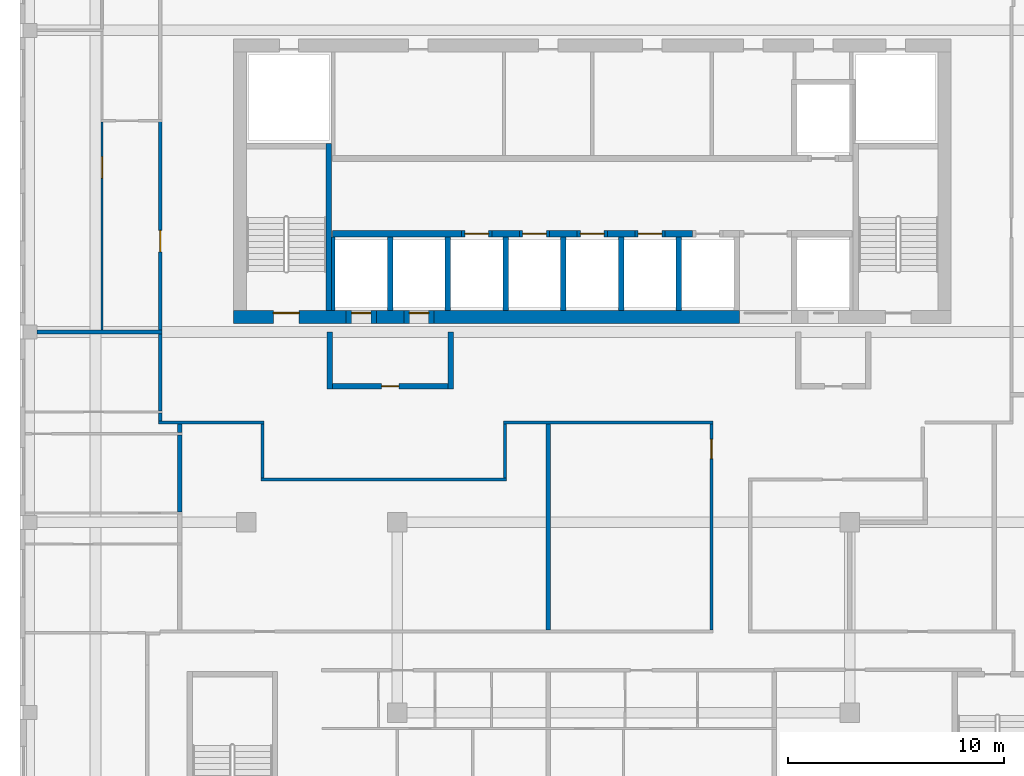
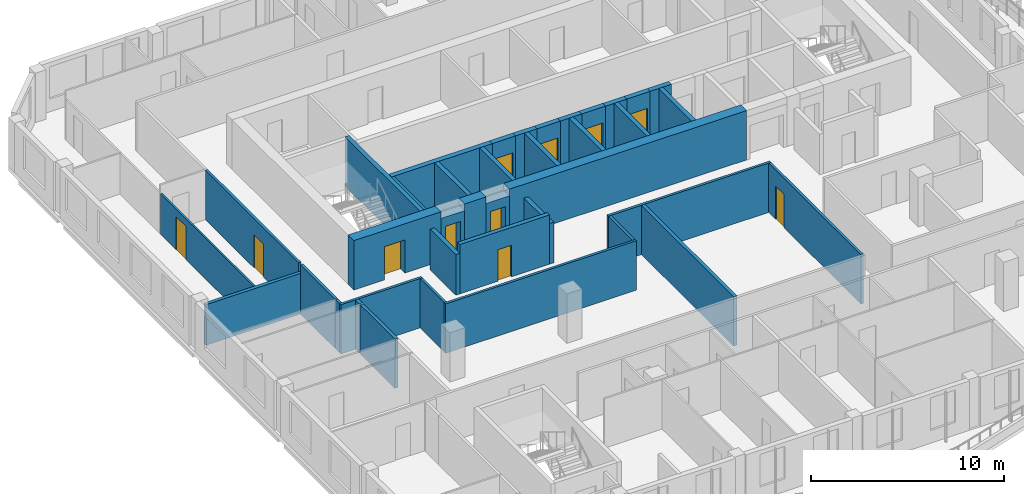
# One storey, part 4 of 18: 39 walls, 11 doors, 11 openings.
"""IFC4 building model written with IfcOpenShell, lengths in metres."""

import ifcopenshell
import ifcopenshell.guid

model = None  # the IFC model being written
_history = None  # IfcOwnerHistory: only IFC2X3 demands one
_inside = {}  # id of a spatial element -> (the spatial element, [elements in it])
_under = {}  # id of a project, library or spatial element -> (it, [spatial elements below it])
_declared = {}  # id of a project -> (the project, [libraries it declares])
_typed = {}  # id of a type object -> (the type object, [elements of that type])
_made_of = {}  # id of a material, layer set ... -> (it, [elements and type objects made of it])


def new_model(schema):
    """Start an empty IFC model of exactly this schema.

    Asked for "IFC4X3", IfcOpenShell would pick the latest addendum, in which some entities
    have other attributes; the version numbers below select the first issue.
    IFC2X3 requires an IfcOwnerHistory on every rooted entity: one is made here for all.
    """
    global model, _history
    if schema == "IFC4X3":
        model = ifcopenshell.file(schema_version=(4, 3, 0, 0))
    else:
        model = ifcopenshell.file(schema=schema)
    _inside.clear()
    _under.clear()
    _declared.clear()
    _typed.clear()
    _made_of.clear()
    _history = None
    if model.schema == "IFC2X3":
        org = make("IfcOrganization", Name="unknown")
        user = make(
            "IfcPersonAndOrganization",
            ThePerson=make("IfcPerson", FamilyName="unknown"),
            TheOrganization=org,
        )
        app = make(
            "IfcApplication",
            ApplicationDeveloper=org,
            Version="unknown",
            ApplicationFullName="unknown",
            ApplicationIdentifier="unknown",
        )
        _history = make(
            "IfcOwnerHistory",
            OwningUser=user,
            OwningApplication=app,
            ChangeAction="ADDED",
            CreationDate=0,
        )
    return model


def make(cls, **values):
    """One entity of the class cls with the attributes given. An attribute that is None is left unset."""
    return model.create_entity(
        cls, **{name: value for name, value in values.items() if value is not None}
    )


def rooted(cls, **values):
    """An entity with a GlobalId (a new one), such as an element, a storey or a relation."""
    return make(cls, GlobalId=ifcopenshell.guid.new(), OwnerHistory=_history, **values)


def si_unit(unit_type, name, prefix=None):
    """IfcSIUnit, for example si_unit("LENGTHUNIT", "METRE", prefix="MILLI")."""
    return make("IfcSIUnit", UnitType=unit_type, Prefix=prefix, Name=name)


def assignment(units):
    """IfcUnitAssignment: the units of a project."""
    return None if units is None else make("IfcUnitAssignment", Units=units)


def point(xyz):
    """IfcCartesianPoint."""
    return None if xyz is None else make("IfcCartesianPoint", Coordinates=xyz)


def direction(xyz):
    """IfcDirection."""
    return None if xyz is None else make("IfcDirection", DirectionRatios=xyz)


def frame(location, z_axis=None, x_axis=None):
    """IfcAxis2Placement3D, a coordinate frame: its origin and axes. An axis left out is left unset."""
    return make(
        "IfcAxis2Placement3D",
        Location=point(location),
        Axis=direction(z_axis),
        RefDirection=direction(x_axis),
    )


def frame_2d(location, x_axis=None):
    """IfcAxis2Placement2D, a coordinate frame in the plane: its origin and x axis."""
    return make(
        "IfcAxis2Placement2D", Location=point(location), RefDirection=direction(x_axis)
    )


def origin():
    """The frame at (0, 0, 0) with its axes left unset."""
    return frame((0.0, 0.0, 0.0))


def place(relative_to, where):
    """IfcLocalPlacement: puts the frame where relative to a parent placement (None: the world)."""
    return make(
        "IfcLocalPlacement", PlacementRelTo=relative_to, RelativePlacement=where
    )


def context(
    kind, dimensions, precision=None, world=None, true_north=None, identifier=None
):
    """IfcGeometricRepresentationContext, for example the 3D "Model" context."""
    return make(
        "IfcGeometricRepresentationContext",
        ContextIdentifier=identifier,
        ContextType=kind,
        CoordinateSpaceDimension=dimensions,
        Precision=precision,
        WorldCoordinateSystem=world,
        TrueNorth=true_north,
    )


def subcontext(parent, identifier, kind, view, scale=None):
    """IfcGeometricRepresentationSubContext, for example "Body" below "Model"."""
    return make(
        "IfcGeometricRepresentationSubContext",
        ContextIdentifier=identifier,
        ContextType=kind,
        ParentContext=parent,
        TargetScale=scale,
        TargetView=view,
    )


def project(units=None, contexts=None):
    """IfcProject with its units and contexts."""
    return rooted(
        "IfcProject",
        Name="project",
        RepresentationContexts=contexts,
        UnitsInContext=assignment(units),
    )


def spatial(cls, under=None, at=None, **own):
    """A site, building, storey or space (cls), placed at a placement, below another one or the project."""
    s = rooted(cls, ObjectPlacement=at, **own)
    if under is not None:
        _under.setdefault(under.id(), (under, []))[1].append(s)
    return s


def profile(cls, at=None, kind="AREA", **sizes):
    """A parametric profile (cls). Its sizes go by their IFC names, for example OverallWidth=200.0."""
    return make(cls, ProfileType=kind, Position=at, **sizes)


def rectangle(**sizes):
    """IfcRectangleProfileDef."""
    return profile("IfcRectangleProfileDef", **sizes)


def extrude(swept, where, along, depth):
    """IfcExtrudedAreaSolid: the profile swept, set in the frame where, extruded along a direction by depth."""
    return make(
        "IfcExtrudedAreaSolid",
        SweptArea=swept,
        Position=where,
        ExtrudedDirection=direction(along),
        Depth=depth,
    )


def shape(context_of_items, identifier, shape_type, items):
    """IfcShapeRepresentation: the items that make up one representation, for example the "Body"."""
    return make(
        "IfcShapeRepresentation",
        ContextOfItems=context_of_items,
        RepresentationIdentifier=identifier,
        RepresentationType=shape_type,
        Items=items,
    )


def source(mapping_origin, context_of_items, identifier, shape_type, items):
    """IfcRepresentationMap: a shape defined once, which mapped items show again and again."""
    return make(
        "IfcRepresentationMap",
        MappingOrigin=mapping_origin,
        MappedRepresentation=shape(context_of_items, identifier, shape_type, items),
    )


def transform(
    local_origin,
    x_axis=None,
    y_axis=None,
    z_axis=None,
    scale=None,
    scale2=None,
    scale3=None,
    uniform=True,
):
    """IfcCartesianTransformationOperator3D, or its non-uniform kind. x_axis, y_axis, z_axis: its Axis1, 2, 3."""
    if uniform:
        return make(
            "IfcCartesianTransformationOperator3D",
            Axis1=direction(x_axis),
            Axis2=direction(y_axis),
            LocalOrigin=point(local_origin),
            Scale=scale,
            Axis3=direction(z_axis),
        )
    return make(
        "IfcCartesianTransformationOperator3DnonUniform",
        Axis1=direction(x_axis),
        Axis2=direction(y_axis),
        LocalOrigin=point(local_origin),
        Scale=scale,
        Axis3=direction(z_axis),
        Scale2=scale2,
        Scale3=scale3,
    )


def mapped(mapping_source, mapping_target):
    """IfcMappedItem: shows the shape of a source again, moved by a transform."""
    return make(
        "IfcMappedItem", MappingSource=mapping_source, MappingTarget=mapping_target
    )


def material(Name=None, Category=None):
    """IfcMaterial."""
    return make("IfcMaterial", Name=Name, Category=Category)


def layer(
    of_material, thickness, ventilated=None, Name=None, Category=None, Priority=None
):
    """IfcMaterialLayer: one layer of a wall or slab, of a material (None: an air gap)."""
    return make(
        "IfcMaterialLayer",
        Material=of_material,
        LayerThickness=thickness,
        IsVentilated=ventilated,
        Name=Name,
        Category=Category,
        Priority=Priority,
    )


def layer_set(layers, Name=None):
    """IfcMaterialLayerSet."""
    return make("IfcMaterialLayerSet", MaterialLayers=layers, LayerSetName=Name)


def made_of(thing, what):
    """Note that an element or type object is made of a material, layer set ...; save() writes the relation."""
    if what is not None:
        _made_of.setdefault(what.id(), (what, []))[1].append(thing)
    return thing


def type_object(cls, material=None, **own):
    """A type object (cls), such as IfcWallType, which elements share."""
    return made_of(rooted(cls, **own), material)


def element(
    cls,
    number,
    at=None,
    inside=None,
    cuts=None,
    type_object=None,
    material=None,
    context=None,
    identifier="Body",
    shape_type=None,
    held_by="IfcProductDefinitionShape",
    body=None,
    shapes=None,
    **own,
):
    """One element of the class cls, such as IfcWall. Its Tag is "e" and its number.

    at: its placement. inside: the storey or other place that contains it. cuts: it is an
    opening in that element (IfcRelVoidsElement). A single representation is given by context,
    identifier, shape_type and body (its items); several are given by shapes. held_by: the class
    of the entity that holds the representations. save() writes the other relations.
    """
    e = rooted(cls, Tag="e%d" % number, ObjectPlacement=at, **own)
    if body is not None:
        shapes = [shape(context, identifier, shape_type, body)]
    if shapes is not None:
        e.Representation = make(held_by, Representations=shapes)
    if inside is not None:
        _inside.setdefault(inside.id(), (inside, []))[1].append(e)
    if cuts is not None:
        rooted(
            "IfcRelVoidsElement", RelatingBuildingElement=cuts, RelatedOpeningElement=e
        )
    if type_object is not None:
        _typed.setdefault(type_object.id(), (type_object, []))[1].append(e)
    return made_of(e, material)


def fill(opening, filler):
    """IfcRelFillsElement: the door or window that sits in an opening."""
    return rooted(
        "IfcRelFillsElement",
        RelatingOpeningElement=opening,
        RelatedBuildingElement=filler,
    )


def aggregate(whole, parts):
    """IfcRelAggregates: a whole, such as a stair, and the parts it consists of."""
    return rooted("IfcRelAggregates", RelatingObject=whole, RelatedObjects=parts)


def save(model, path):
    """Write the relations noted so far, then the file.

    IfcRelAggregates (storeys below a building ...), IfcRelContainedInSpatialStructure (elements
    in a storey), IfcRelDefinesByType, IfcRelAssociatesMaterial and IfcRelDeclares: one each for
    every whole, place, type object, material and project.
    """
    for whole, parts in _under.values():
        aggregate(whole, parts)
    for where, things in _inside.values():
        rooted(
            "IfcRelContainedInSpatialStructure",
            RelatedElements=things,
            RelatingStructure=where,
        )
    for kind, things in _typed.values():
        rooted("IfcRelDefinesByType", RelatedObjects=things, RelatingType=kind)
    for what, things in _made_of.values():
        rooted("IfcRelAssociatesMaterial", RelatedObjects=things, RelatingMaterial=what)
    for by, libraries in _declared.values():
        rooted("IfcRelDeclares", RelatingContext=by, RelatedDefinitions=libraries)
    model.write(path)


model = new_model("IFC4")

# Units and contexts
model_context = context("Model", 3, precision=1e-05, world=origin(), true_north=direction((0.0, 1.0)))
body_context = subcontext(model_context, "Body", "Model", "MODEL_VIEW")
ifc_project = project(units=[si_unit("LENGTHUNIT", "METRE"), si_unit("AREAUNIT", "SQUARE_METRE"), si_unit("VOLUMEUNIT", "CUBIC_METRE"), si_unit("PLANEANGLEUNIT", "RADIAN"), si_unit("MASSUNIT", "GRAM", prefix="KILO")], contexts=[model_context])

# Site, building, storey
site_placement = place(None, origin())
site = spatial("IfcSite", under=ifc_project, at=site_placement, CompositionType="ELEMENT")
building_placement = place(site_placement, origin())
building = spatial("IfcBuilding", under=site, at=building_placement, Name="Kilnfold Tower and Market Hall", CompositionType="ELEMENT")
storey_placement = place(building_placement, frame((0.0, 0.0, 280.60009765625)))
storey = spatial("IfcBuildingStorey", under=building, at=storey_placement, Name="L69", CompositionType="ELEMENT", Elevation=280.60009765625)

# Walls
ifc_material_1 = material(Name="Gypsum board on steel studs", Category="steel")
ifc_layer_1 = layer(ifc_material_1, 0.14990234375)
ifc_layer_set_1 = layer_set([ifc_layer_1], Name="Gypsum board on steel studs")
wall_type_1 = type_object("IfcWallType", Name="WALL CORRIDOR 150", PredefinedType="PARTITIONING", material=ifc_layer_set_1)
wall_1_placement = place(storey_placement, frame((-19.074951171875, 3.800048828125, 0.0), z_axis=(0.0, 0.0, 1.0), x_axis=(1.0, 0.0, 0.0)))
element("IfcWall", 1, at=wall_1_placement, inside=storey, type_object=wall_type_1, Name="Partition LY42.11", PredefinedType="PARTITIONING", context=body_context, shape_type="SweptSolid", body=[
    extrude(rectangle(XDim=4.889892578125, YDim=0.14990234375, at=frame_2d((2.44482421875, 0.0))), origin(), (0.0, 0.0, 1.0), 3.119873046875),
])
wall_2_placement = place(storey_placement, frame((-19.0, 3.875, 0.0), z_axis=(0.0, 0.0, 1.0), x_axis=(0.0, 1.0, 0.0)))
element("IfcWall", 2, at=wall_2_placement, inside=storey, type_object=wall_type_1, Name="Partition LY42.12", PredefinedType="PARTITIONING", context=body_context, shape_type="SweptSolid", body=[
    extrude(rectangle(XDim=0.376953125, YDim=0.14990234375, at=frame_2d((0.1884765625, 0.0))), origin(), (0.0, 0.0, 1.0), 3.119873046875),
])
wall_3_placement = place(storey_placement, frame((-19.0, 4.33203125, 0.0), z_axis=(0.0, 0.0, 1.0), x_axis=(0.0, 1.0, 0.0)))
element("IfcWall", 3, at=wall_3_placement, inside=storey, type_object=wall_type_1, Name="Partition LY42.13", PredefinedType="PARTITIONING", context=body_context, shape_type="SweptSolid", body=[
    extrude(rectangle(XDim=3.577880859375, YDim=0.14990234375, at=frame_2d((1.7890625, 0.0))), origin(), (0.0, 0.0, 1.0), 3.119873046875),
])

# Wall, opening, door
wall_4_placement = place(storey_placement, frame((-19.0, 8.090087890625, 0.0), z_axis=(0.0, 0.0, 1.0), x_axis=(0.0, 1.0, 0.0)))
wall_4 = element("IfcWall", 4, at=wall_4_placement, inside=storey, type_object=wall_type_1, Name="Partition LY42.20", PredefinedType="PARTITIONING", context=body_context, shape_type="SweptSolid", body=[
    extrude(rectangle(XDim=9.669921875, YDim=0.14990234375, at=frame_2d((4.8349609375, 0.0))), origin(), (0.0, 0.0, 1.0), 3.119873046875),
])
opening_1_placement = place(wall_4_placement, frame((3.62890625, 0.0, 0.0)))
opening_1 = element("IfcOpeningElement", 5, at=opening_1_placement, cuts=wall_4, Name="Opening D1", PredefinedType="OPENING", context=body_context, shape_type="SweptSolid", body=[
    extrude(rectangle(XDim=1.0, YDim=2.10009765625, at=frame_2d((0.5, 1.050048828125))), frame((0.0, 0.0849609375, 0.0), z_axis=(0.0, -1.0, 0.0), x_axis=(1.0, 0.0, 0.0)), (0.0, 0.0, 1.0), 0.169921875),
])
ifc_material_2 = material(Name="Timber veneer door leaf in steel frame", Category="steel")
door_type_1 = type_object("IfcDoorType", Name="DOOR ENTRY 1000 X2100", OperationType="NOTDEFINED", PredefinedType="DOOR", material=ifc_material_2)
door_1_placement = place(opening_1_placement, origin())
door_1 = element("IfcDoor", 6, at=door_1_placement, inside=storey, type_object=door_type_1, Name="Door D1", OperationType="SINGLE_SWING_LEFT", OverallHeight=2.10009765625, OverallWidth=1.0, PredefinedType="DOOR", context=body_context, shape_type="SweptSolid", body=[
    extrude(rectangle(XDim=1.0, YDim=2.10009765625, at=frame_2d((0.5, 1.050048828125))), frame((0.0, 0.02490234375, 0.0), z_axis=(0.0, -1.0, 0.0), x_axis=(1.0, 0.0, 0.0)), (0.0, 0.0, 1.0), 0.050048828125),
])
fill(opening_1, door_1)

# Walls
wall_5_placement = place(storey_placement, frame((-3.074951171875, 3.800048828125, 0.0), z_axis=(0.0, 0.0, 1.0), x_axis=(1.0, 0.0, 0.0)))
element("IfcWall", 7, at=wall_5_placement, inside=storey, type_object=wall_type_1, Name="Partition LY42.23", PredefinedType="PARTITIONING", context=body_context, shape_type="SweptSolid", body=[
    extrude(rectangle(XDim=9.72998046875, YDim=0.14990234375, at=frame_2d((4.864990234375, 0.0))), origin(), (0.0, 0.0, 1.0), 3.119873046875),
])
wall_6_placement = place(storey_placement, frame((-3.0, 1.22509765625, 0.0), z_axis=(0.0, 0.0, 1.0), x_axis=(0.0, 1.0, 0.0)))
element("IfcWall", 8, at=wall_6_placement, inside=storey, type_object=wall_type_1, Name="Partition LY42.24", PredefinedType="PARTITIONING", context=body_context, shape_type="SweptSolid", body=[
    extrude(rectangle(XDim=2.5, YDim=0.14990234375, at=frame_2d((1.25, 0.0))), origin(), (0.0, 0.0, 1.0), 3.119873046875),
])
wall_7_placement = place(storey_placement, frame((-14.3349609375, 1.14990234375, 0.0), z_axis=(0.0, 0.0, 1.0), x_axis=(1.0, 0.0, 0.0)))
element("IfcWall", 9, at=wall_7_placement, inside=storey, type_object=wall_type_1, Name="Partition LY42.25", PredefinedType="PARTITIONING", context=body_context, shape_type="SweptSolid", body=[
    extrude(rectangle(XDim=11.409912109375, YDim=0.14990234375, at=frame_2d((5.705078125, 0.0))), origin(), (0.0, 0.0, 1.0), 3.119873046875),
])
wall_8_placement = place(storey_placement, frame((-14.260009765625, 3.72509765625, 0.0), z_axis=(0.0, 0.0, 1.0), x_axis=(0.0, -1.0, 0.0)))
element("IfcWall", 10, at=wall_8_placement, inside=storey, type_object=wall_type_1, Name="Partition LY42.26", PredefinedType="PARTITIONING", context=body_context, shape_type="SweptSolid", body=[
    extrude(rectangle(XDim=2.5, YDim=0.14990234375, at=frame_2d((1.25, 0.0))), origin(), (0.0, 0.0, 1.0), 3.119873046875),
])

# Wall, opening, door
wall_9_placement = place(storey_placement, frame((6.580078125, 3.72509765625, 0.0), z_axis=(0.0, 0.0, 1.0), x_axis=(0.0, -1.0, 0.0)))
wall_9 = element("IfcWall", 11, at=wall_9_placement, inside=storey, type_object=wall_type_1, Name="Partition LY42.27", PredefinedType="PARTITIONING", context=body_context, shape_type="SweptSolid", body=[
    extrude(rectangle(XDim=9.550048828125, YDim=0.14990234375, at=frame_2d((4.77490234375, 0.0))), origin(), (0.0, 0.0, 1.0), 3.119873046875),
])
opening_2_placement = place(wall_9_placement, frame((0.702880859375, 0.0, 0.0)))
opening_2 = element("IfcOpeningElement", 12, at=opening_2_placement, cuts=wall_9, Name="Opening D2", PredefinedType="OPENING", context=body_context, shape_type="SweptSolid", body=[
    extrude(rectangle(XDim=0.89990234375, YDim=2.10009765625, at=frame_2d((0.449951171875, 1.050048828125))), frame((0.0, 0.0849609375, 0.0), z_axis=(0.0, -1.0, 0.0), x_axis=(1.0, 0.0, 0.0)), (0.0, 0.0, 1.0), 0.169921875),
])
ifc_material_3 = material(Name="Timber veneer door leaf in steel frame", Category="steel")
door_type_2 = type_object("IfcDoorType", Name="DOOR ROOM 900 X2100", OperationType="NOTDEFINED", PredefinedType="DOOR", material=ifc_material_3)
door_2_placement = place(opening_2_placement, origin())
door_2 = element("IfcDoor", 13, at=door_2_placement, inside=storey, type_object=door_type_2, Name="Door D2", OperationType="SINGLE_SWING_RIGHT", OverallHeight=2.10009765625, OverallWidth=0.89990234375, PredefinedType="DOOR", context=body_context, shape_type="SweptSolid", body=[
    extrude(rectangle(XDim=0.89990234375, YDim=2.10009765625, at=frame_2d((0.449951171875, 1.050048828125))), frame((0.0, 0.02490234375, 0.0), z_axis=(0.0, -1.0, 0.0), x_axis=(1.0, 0.0, 0.0)), (0.0, 0.0, 1.0), 0.050048828125),
])
fill(opening_2, door_2)

ifc_material_4 = material(Name="Gypsum board on steel studs", Category="steel")
ifc_layer_2 = layer(ifc_material_4, 0.10009765625)
ifc_layer_set_2 = layer_set([ifc_layer_2], Name="Gypsum board on steel studs")
wall_type_2 = type_object("IfcWallType", Name="WALL PARTITION 100", PredefinedType="PARTITIONING", material=ifc_layer_set_2)
wall_10_placement = place(storey_placement, frame((-21.699951171875, 8.10009765625, 0.0), z_axis=(0.0, 0.0, 1.0), x_axis=(0.0, 1.0, 0.0)))
wall_10 = element("IfcWall", 14, at=wall_10_placement, inside=storey, type_object=wall_type_2, Name="Partition LY42.72", PredefinedType="PARTITIONING", context=body_context, shape_type="SweptSolid", body=[
    extrude(rectangle(XDim=9.64990234375, YDim=0.10009765625, at=frame_2d((4.824951171875, 0.0))), origin(), (0.0, 0.0, 1.0), 2.56982421875),
])
opening_3_placement = place(wall_10_placement, frame((7.041015625, 0.0, 0.0)))
opening_3 = element("IfcOpeningElement", 15, at=opening_3_placement, cuts=wall_10, Name="Opening D1", PredefinedType="OPENING", context=body_context, shape_type="SweptSolid", body=[
    extrude(rectangle(XDim=1.0, YDim=2.10009765625, at=frame_2d((0.5, 1.050048828125))), frame((0.0, 0.06005859375, 0.0), z_axis=(0.0, -1.0, 0.0), x_axis=(1.0, 0.0, 0.0)), (0.0, 0.0, 1.0), 0.1201171875),
])
door_3_placement = place(opening_3_placement, origin())
door_3 = element("IfcDoor", 16, at=door_3_placement, inside=storey, type_object=door_type_1, Name="Door D1", OperationType="SINGLE_SWING_LEFT", OverallHeight=2.10009765625, OverallWidth=1.0, PredefinedType="DOOR", context=body_context, shape_type="SweptSolid", body=[
    extrude(rectangle(XDim=1.0, YDim=2.10009765625, at=frame_2d((0.5, 1.050048828125))), frame((0.0, 0.02490234375, 0.0), z_axis=(0.0, -1.0, 0.0), x_axis=(1.0, 0.0, 0.0)), (0.0, 0.0, 1.0), 0.050048828125),
])
fill(opening_3, door_3)

# Walls
ifc_material_5 = material(Name="Gypsum board on steel studs", Category="steel")
ifc_layer_3 = layer(ifc_material_5, 0.199951171875)
ifc_layer_set_3 = layer_set([ifc_layer_3], Name="Gypsum board on steel studs")
wall_type_3 = type_object("IfcWallType", Name="WALL PARTY 200", PredefinedType="PARTITIONING", material=ifc_layer_set_3)
wall_11_placement = place(storey_placement, frame((-18.10009765625, -0.35009765625, 0.0), z_axis=(0.0, 0.0, 1.0), x_axis=(0.0, 1.0, 0.0)))
element("IfcWall", 17, at=wall_11_placement, inside=storey, type_object=wall_type_3, Name="Partition LY42.42", PredefinedType="PARTITIONING", context=body_context, shape_type="SweptSolid", body=[
    extrude(rectangle(XDim=3.5751953125, YDim=0.199951171875, at=frame_2d((1.78759765625, 0.0))), origin(), (0.0, 0.0, 1.0), 3.119873046875),
])
wall_12_placement = place(storey_placement, frame((-18.10009765625, 3.324951171875, 0.0), z_axis=(0.0, 0.0, 1.0), x_axis=(0.0, 1.0, 0.0)))
element("IfcWall", 18, at=wall_12_placement, inside=storey, type_object=wall_type_3, Name="Partition LY42.44", PredefinedType="PARTITIONING", context=body_context, shape_type="SweptSolid", body=[
    extrude(rectangle(XDim=0.39794921875, YDim=0.199951171875, at=frame_2d((0.198974609375, 0.0))), origin(), (0.0, 0.0, 1.0), 3.119873046875),
])
wall_13_placement = place(storey_placement, frame((-24.72509765625, 8.0, 0.0), z_axis=(0.0, 0.0, 1.0), x_axis=(1.0, 0.0, 0.0)))
element("IfcWall", 19, at=wall_13_placement, inside=storey, type_object=wall_type_3, Name="Partition LY42.45", PredefinedType="PARTITIONING", context=body_context, shape_type="SweptSolid", body=[
    extrude(rectangle(XDim=5.798095703125, YDim=0.199951171875, at=frame_2d((2.89892578125, 0.0))), origin(), (0.0, 0.0, 1.0), 2.56982421875),
])
wall_14_placement = place(storey_placement, frame((-1.0, -5.822998046875, 0.0), z_axis=(0.0, 0.0, 1.0), x_axis=(0.0, 1.0, 0.0)))
element("IfcWall", 20, at=wall_14_placement, inside=storey, type_object=wall_type_3, Name="Partition LY42.79", PredefinedType="PARTITIONING", context=body_context, shape_type="SweptSolid", body=[
    extrude(rectangle(XDim=9.5458984375, YDim=0.199951171875, at=frame_2d((4.77294921875, 0.0))), origin(), (0.0, 0.0, 1.0), 3.119873046875),
])
ifc_material_6 = material(Name="Concrete C50", Category="concrete")
ifc_layer_4 = layer(ifc_material_6, 0.25)
ifc_layer_set_4 = layer_set([ifc_layer_4], Name="Concrete C50")
wall_type_4 = type_object("IfcWallType", Name="CORE WALL 250 C50", PredefinedType="SHEAR", material=ifc_layer_set_4)
shared_shape_1 = source(origin(), body_context, "Body", "SweptSolid", [
    extrude(rectangle(XDim=7.75, YDim=0.25, at=frame_2d((3.875, 0.0))), origin(), (0.0, 0.0, 1.0), 3.119873046875),
])
wall_15_placement = place(storey_placement, frame((-11.175048828125, 9.0, 0.0), z_axis=(0.0, 0.0, 1.0), x_axis=(0.0, 1.0, 0.0)))
element("IfcWall", 21, at=wall_15_placement, inside=storey, type_object=wall_type_4, Name="Stair enclosure ST1", PredefinedType="SHEAR", context=body_context, shape_type="MappedRepresentation", body=[
    mapped(shared_shape_1, transform((0.0, 0.0, 0.0))),
])
ifc_material_7 = material(Name="Concrete C50", Category="concrete")
ifc_layer_5 = layer(ifc_material_7, 0.300048828125)
ifc_layer_set_5 = layer_set([ifc_layer_5], Name="Concrete C50")
wall_type_5 = type_object("IfcWallType", Name="CORE WALL 300 C50", PredefinedType="SHEAR", material=ifc_layer_set_5)
shared_shape_2 = source(origin(), body_context, "Body", "SweptSolid", [
    extrude(rectangle(XDim=6.0, YDim=0.300048828125, at=frame_2d((3.0, 0.0))), origin(), (0.0, 0.0, 1.0), 3.119873046875),
])
wall_16_placement = place(storey_placement, frame((-11.010009765625, 12.550048828125, 0.0), z_axis=(0.0, 0.0, 1.0), x_axis=(1.0, 0.0, 0.0)))
element("IfcWall", 22, at=wall_16_placement, inside=storey, type_object=wall_type_5, Name="Core spine wall", PredefinedType="SHEAR", context=body_context, shape_type="MappedRepresentation", body=[
    mapped(shared_shape_2, transform((0.0, 0.0, 0.0))),
])
shared_shape_3 = source(origin(), body_context, "Body", "SweptSolid", [
    extrude(rectangle(XDim=1.280029296875, YDim=0.300048828125, at=frame_2d((0.64013671875, 0.0))), origin(), (0.0, 0.0, 1.0), 3.119873046875),
])
for number, where, z_axis, x_axis, name in (
    (23, (-3.610107421875, 12.550048828125, 0.0), (0.0, 0.0, 1.0), (1.0, 0.0, 0.0), "Core spine wall"),
    (24, (-0.929931640625, 12.550048828125, 0.0), (0.0, 0.0, 1.0), (1.0, 0.0, 0.0), "Core spine wall"),
    (25, (1.75, 12.550048828125, 0.0), (0.0, 0.0, 1.0), (1.0, 0.0, 0.0), "Core spine wall"),
    (26, (4.429931640625, 12.550048828125, 0.0), (0.0, 0.0, 1.0), (1.0, 0.0, 0.0), "Core spine wall"),
):
    element("IfcWall", number, at=place(storey_placement, frame(where, z_axis=z_axis, x_axis=x_axis)), inside=storey, type_object=wall_type_5, Name=name, PredefinedType="SHEAR", context=body_context, shape_type="MappedRepresentation", body=[
        mapped(shared_shape_3, transform((0.0, 0.0, 0.0))),
    ])

# Wall, opening, door
ifc_material_8 = material(Name="Concrete C50", Category="concrete")
ifc_layer_6 = layer(ifc_material_8, 0.60009765625)
ifc_layer_set_6 = layer_set([ifc_layer_6], Name="Concrete C50")
wall_type_6 = type_object("IfcWallType", Name="CORE WALL 600 C50", PredefinedType="SHEAR", material=ifc_layer_set_6)
shared_shape_4 = source(origin(), body_context, "Body", "SweptSolid", [
    extrude(rectangle(XDim=5.22998046875, YDim=0.60009765625, at=frame_2d((2.614990234375, 0.0))), origin(), (0.0, 0.0, 1.0), 3.119873046875),
])
wall_17_placement = place(storey_placement, frame((-15.60009765625, 8.699951171875, 0.0), z_axis=(0.0, 0.0, 1.0), x_axis=(1.0, 0.0, 0.0)))
wall_17 = element("IfcWall", 27, at=wall_17_placement, inside=storey, type_object=wall_type_6, Name="Core outer wall south", PredefinedType="SHEAR", context=body_context, shape_type="MappedRepresentation", body=[
    mapped(shared_shape_4, transform((0.0, 0.0, 0.0))),
])
opening_4_placement = place(wall_17_placement, frame((1.85009765625, 0.0, 0.0)))
opening_4 = element("IfcOpeningElement", 28, at=opening_4_placement, cuts=wall_17, Name="Opening SD1", PredefinedType="OPENING", context=body_context, shape_type="SweptSolid", body=[
    extrude(rectangle(XDim=1.199951171875, YDim=2.10009765625, at=frame_2d((0.60009765625, 1.050048828125))), frame((0.0, 0.31005859375, 0.0), z_axis=(0.0, -1.0, 0.0), x_axis=(1.0, 0.0, 0.0)), (0.0, 0.0, 1.0), 0.6201171875),
])
ifc_material_9 = material(Name="Steel door set with fire-resisting leaf", Category="steel")
door_type_3 = type_object("IfcDoorType", Name="STAIR FLOOR DOOR 1200X2100", OperationType="NOTDEFINED", PredefinedType="DOOR", material=ifc_material_9)
door_4_placement = place(opening_4_placement, origin())
door_4 = element("IfcDoor", 29, at=door_4_placement, inside=storey, type_object=door_type_3, Name="Exit stair ST1 door", OperationType="DOUBLE_DOOR_SINGLE_SWING", OverallHeight=2.10009765625, OverallWidth=1.199951171875, PredefinedType="DOOR", context=body_context, shape_type="SweptSolid", body=[
    extrude(rectangle(XDim=1.199951171875, YDim=2.10009765625, at=frame_2d((0.60009765625, 1.050048828125))), frame((0.0, 0.205078125, 0.0), z_axis=(0.0, -1.0, 0.0), x_axis=(1.0, 0.0, 0.0)), (0.0, 0.0, 1.0), 0.050048828125),
])
fill(opening_4, door_4)

# Walls
shared_shape_5 = source(origin(), body_context, "Body", "SweptSolid", [
    extrude(rectangle(XDim=1.280029296875, YDim=0.60009765625, at=frame_2d((0.64013671875, 0.0))), origin(), (0.0, 0.0, 1.0), 3.119873046875),
])
wall_18_placement = place(storey_placement, frame((-8.969970703125, 8.699951171875, 0.0), z_axis=(0.0, 0.0, 1.0), x_axis=(1.0, 0.0, 0.0)))
element("IfcWall", 30, at=wall_18_placement, inside=storey, type_object=wall_type_6, Name="Core outer wall south", PredefinedType="SHEAR", context=body_context, shape_type="MappedRepresentation", body=[
    mapped(shared_shape_5, transform((0.0, 0.0, 0.0))),
])
shared_shape_6 = source(origin(), body_context, "Body", "SweptSolid", [
    extrude(rectangle(XDim=14.179931640625, YDim=0.60009765625, at=frame_2d((7.08984375, 0.0))), origin(), (0.0, 0.0, 1.0), 3.119873046875),
])
wall_19_placement = place(storey_placement, frame((-6.2900390625, 8.699951171875, 0.0), z_axis=(0.0, 0.0, 1.0), x_axis=(1.0, 0.0, 0.0)))
element("IfcWall", 31, at=wall_19_placement, inside=storey, type_object=wall_type_6, Name="Core outer wall south", PredefinedType="SHEAR", context=body_context, shape_type="MappedRepresentation", body=[
    mapped(shared_shape_6, transform((0.0, 0.0, 0.0))),
])

# Wall, opening, door
ifc_material_10 = material(Name="Gypsum shaft wall system")
ifc_layer_7 = layer(ifc_material_10, 0.300048828125)
ifc_layer_set_7 = layer_set([ifc_layer_7], Name="Gypsum shaft wall system")
wall_type_7 = type_object("IfcWallType", Name="SHAFT WALL 300", PredefinedType="PARTITIONING", material=ifc_layer_set_7)
shared_shape_7 = source(origin(), body_context, "Body", "SweptSolid", [
    extrude(rectangle(XDim=1.39990234375, YDim=0.300048828125, at=frame_2d((0.699951171875, 0.0))), origin(), (0.0, 0.0, 1.0), 3.119873046875),
])
wall_20_placement = place(storey_placement, frame((-5.010009765625, 12.550048828125, 0.0), z_axis=(0.0, 0.0, 1.0), x_axis=(1.0, 0.0, 0.0)))
wall_20 = element("IfcWall", 32, at=wall_20_placement, inside=storey, type_object=wall_type_7, Name="Lift shaft front wall", PredefinedType="PARTITIONING", context=body_context, shape_type="MappedRepresentation", body=[
    mapped(shared_shape_7, transform((0.0, 0.0, 0.0))),
])
opening_5_placement = place(wall_20_placement, frame((0.14990234375, 0.0, 0.0)))
opening_5 = element("IfcOpeningElement", 33, at=opening_5_placement, cuts=wall_20, Name="Opening LD2", PredefinedType="OPENING", context=body_context, shape_type="SweptSolid", body=[
    extrude(rectangle(XDim=1.10009765625, YDim=2.10009765625, at=frame_2d((0.550048828125, 1.050048828125))), frame((0.0, 0.16015625, 0.0), z_axis=(0.0, -1.0, 0.0), x_axis=(1.0, 0.0, 0.0)), (0.0, 0.0, 1.0), 0.320068359375),
])
ifc_material_11 = material(Name="Steel door set with fire-resisting leaf", Category="steel")
door_type_4 = type_object("IfcDoorType", Name="LANDING DOOR 1100X2100", OperationType="NOTDEFINED", PredefinedType="DOOR", material=ifc_material_11)
door_5_placement = place(opening_5_placement, origin())
door_5 = element("IfcDoor", 34, at=door_5_placement, inside=storey, type_object=door_type_4, Name="Landing door HR1", OperationType="DOUBLE_DOOR_SLIDING", OverallHeight=2.10009765625, OverallWidth=1.10009765625, PredefinedType="DOOR", context=body_context, shape_type="SweptSolid", body=[
    extrude(rectangle(XDim=1.10009765625, YDim=2.10009765625, at=frame_2d((0.550048828125, 1.050048828125))), frame((0.0, 0.02490234375, 0.0), z_axis=(0.0, -1.0, 0.0), x_axis=(1.0, 0.0, 0.0)), (0.0, 0.0, 1.0), 0.050048828125),
])
fill(opening_5, door_5)

wall_21_placement = place(storey_placement, frame((0.35009765625, 12.550048828125, 0.0), z_axis=(0.0, 0.0, 1.0), x_axis=(1.0, 0.0, 0.0)))
wall_21 = element("IfcWall", 35, at=wall_21_placement, inside=storey, type_object=wall_type_7, Name="Lift shaft front wall", PredefinedType="PARTITIONING", context=body_context, shape_type="MappedRepresentation", body=[
    mapped(shared_shape_7, transform((0.0, 0.0, 0.0))),
])
opening_6_placement = place(wall_21_placement, frame((0.14990234375, 0.0, 0.0)))
opening_6 = element("IfcOpeningElement", 36, at=opening_6_placement, cuts=wall_21, Name="Opening LD2", PredefinedType="OPENING", context=body_context, shape_type="SweptSolid", body=[
    extrude(rectangle(XDim=1.10009765625, YDim=2.10009765625, at=frame_2d((0.550048828125, 1.050048828125))), frame((0.0, 0.16015625, 0.0), z_axis=(0.0, -1.0, 0.0), x_axis=(1.0, 0.0, 0.0)), (0.0, 0.0, 1.0), 0.320068359375),
])
door_6_placement = place(opening_6_placement, origin())
door_6 = element("IfcDoor", 37, at=door_6_placement, inside=storey, type_object=door_type_4, Name="Landing door HR3", OperationType="DOUBLE_DOOR_SLIDING", OverallHeight=2.10009765625, OverallWidth=1.10009765625, PredefinedType="DOOR", context=body_context, shape_type="SweptSolid", body=[
    extrude(rectangle(XDim=1.10009765625, YDim=2.10009765625, at=frame_2d((0.550048828125, 1.050048828125))), frame((0.0, 0.02490234375, 0.0), z_axis=(0.0, -1.0, 0.0), x_axis=(1.0, 0.0, 0.0)), (0.0, 0.0, 1.0), 0.050048828125),
])
fill(opening_6, door_6)

wall_22_placement = place(storey_placement, frame((3.030029296875, 12.550048828125, 0.0), z_axis=(0.0, 0.0, 1.0), x_axis=(1.0, 0.0, 0.0)))
wall_22 = element("IfcWall", 38, at=wall_22_placement, inside=storey, type_object=wall_type_7, Name="Lift shaft front wall", PredefinedType="PARTITIONING", context=body_context, shape_type="MappedRepresentation", body=[
    mapped(shared_shape_7, transform((0.0, 0.0, 0.0))),
])
opening_7_placement = place(wall_22_placement, frame((0.14990234375, 0.0, 0.0)))
opening_7 = element("IfcOpeningElement", 39, at=opening_7_placement, cuts=wall_22, Name="Opening LD2", PredefinedType="OPENING", context=body_context, shape_type="SweptSolid", body=[
    extrude(rectangle(XDim=1.10009765625, YDim=2.10009765625, at=frame_2d((0.550048828125, 1.050048828125))), frame((0.0, 0.16015625, 0.0), z_axis=(0.0, -1.0, 0.0), x_axis=(1.0, 0.0, 0.0)), (0.0, 0.0, 1.0), 0.320068359375),
])
door_7_placement = place(opening_7_placement, origin())
door_7 = element("IfcDoor", 40, at=door_7_placement, inside=storey, type_object=door_type_4, Name="Landing door HR4", OperationType="DOUBLE_DOOR_SLIDING", OverallHeight=2.10009765625, OverallWidth=1.10009765625, PredefinedType="DOOR", context=body_context, shape_type="SweptSolid", body=[
    extrude(rectangle(XDim=1.10009765625, YDim=2.10009765625, at=frame_2d((0.550048828125, 1.050048828125))), frame((0.0, 0.02490234375, 0.0), z_axis=(0.0, -1.0, 0.0), x_axis=(1.0, 0.0, 0.0)), (0.0, 0.0, 1.0), 0.050048828125),
])
fill(opening_7, door_7)

shared_shape_8 = source(origin(), body_context, "Body", "SweptSolid", [
    extrude(rectangle(XDim=1.400146484375, YDim=0.300048828125, at=frame_2d((0.7001953125, 0.0))), origin(), (0.0, 0.0, 1.0), 3.119873046875),
])
wall_23_placement = place(storey_placement, frame((-2.330078125, 12.550048828125, 0.0), z_axis=(0.0, 0.0, 1.0), x_axis=(1.0, 0.0, 0.0)))
wall_23 = element("IfcWall", 41, at=wall_23_placement, inside=storey, type_object=wall_type_7, Name="Lift shaft front wall", PredefinedType="PARTITIONING", context=body_context, shape_type="MappedRepresentation", body=[
    mapped(shared_shape_8, transform((0.0, 0.0, 0.0))),
])
opening_8_placement = place(wall_23_placement, frame((0.14990234375, 0.0, 0.0)))
opening_8 = element("IfcOpeningElement", 42, at=opening_8_placement, cuts=wall_23, Name="Opening LD2", PredefinedType="OPENING", context=body_context, shape_type="SweptSolid", body=[
    extrude(rectangle(XDim=1.10009765625, YDim=2.10009765625, at=frame_2d((0.550048828125, 1.050048828125))), frame((0.0, 0.16015625, 0.0), z_axis=(0.0, -1.0, 0.0), x_axis=(1.0, 0.0, 0.0)), (0.0, 0.0, 1.0), 0.320068359375),
])
door_8_placement = place(opening_8_placement, origin())
door_8 = element("IfcDoor", 43, at=door_8_placement, inside=storey, type_object=door_type_4, Name="Landing door HR2", OperationType="DOUBLE_DOOR_SLIDING", OverallHeight=2.10009765625, OverallWidth=1.10009765625, PredefinedType="DOOR", context=body_context, shape_type="SweptSolid", body=[
    extrude(rectangle(XDim=1.10009765625, YDim=2.10009765625, at=frame_2d((0.550048828125, 1.050048828125))), frame((0.0, 0.02490234375, 0.0), z_axis=(0.0, -1.0, 0.0), x_axis=(1.0, 0.0, 0.0)), (0.0, 0.0, 1.0), 0.050048828125),
])
fill(opening_8, door_8)

ifc_material_12 = material(Name="Gypsum shaft wall system")
ifc_layer_8 = layer(ifc_material_12, 0.25)
ifc_layer_set_8 = layer_set([ifc_layer_8], Name="Gypsum shaft wall system")
wall_type_8 = type_object("IfcWallType", Name="LOBBY WALL 250", PredefinedType="PARTITIONING", material=ifc_layer_set_8)
shared_shape_9 = source(origin(), body_context, "Body", "SweptSolid", [
    extrude(rectangle(XDim=5.360107421875, YDim=0.25, at=frame_2d((2.68017578125, 0.0))), origin(), (0.0, 0.0, 1.0), 3.119873046875),
])
wall_24_placement = place(storey_placement, frame((-11.010009765625, 5.47509765625, 0.0), z_axis=(0.0, 0.0, 1.0), x_axis=(1.0, 0.0, 0.0)))
wall_24 = element("IfcWall", 44, at=wall_24_placement, inside=storey, type_object=wall_type_8, Name="Firefighting lobby wall", PredefinedType="PARTITIONING", context=body_context, shape_type="MappedRepresentation", body=[
    mapped(shared_shape_9, transform((0.0, 0.0, 0.0))),
])
opening_9_placement = place(wall_24_placement, frame((2.280029296875, 0.0, 0.0)))
opening_9 = element("IfcOpeningElement", 45, at=opening_9_placement, cuts=wall_24, Name="Opening VD1", PredefinedType="OPENING", context=body_context, shape_type="SweptSolid", body=[
    extrude(rectangle(XDim=0.800048828125, YDim=2.0, at=frame_2d((0.39990234375, 1.0))), frame((0.0, 0.135009765625, 0.0), z_axis=(0.0, -1.0, 0.0), x_axis=(1.0, 0.0, 0.0)), (0.0, 0.0, 1.0), 0.27001953125),
])
ifc_material_13 = material(Name="Steel door set with fire-resisting leaf", Category="steel")
door_type_5 = type_object("IfcDoorType", Name="FIREFIGHTING LOBBY DOOR 800X2000", OperationType="NOTDEFINED", PredefinedType="DOOR", material=ifc_material_13)
door_9_placement = place(opening_9_placement, origin())
door_9 = element("IfcDoor", 46, at=door_9_placement, inside=storey, type_object=door_type_5, Name="Firefighting lobby door", OperationType="SINGLE_SWING_LEFT", OverallHeight=2.0, OverallWidth=0.800048828125, PredefinedType="DOOR", context=body_context, shape_type="SweptSolid", body=[
    extrude(rectangle(XDim=0.800048828125, YDim=2.0, at=frame_2d((0.39990234375, 1.0))), frame((0.0, 0.02490234375, 0.0), z_axis=(0.0, -1.0, 0.0), x_axis=(1.0, 0.0, 0.0)), (0.0, 0.0, 1.0), 0.050048828125),
])
fill(opening_9, door_9)

# Walls
ifc_material_14 = material(Name="Gypsum shaft wall system")
ifc_layer_9 = layer(ifc_material_14, 0.25)
ifc_layer_set_9 = layer_set([ifc_layer_9], Name="Gypsum shaft wall system")
wall_type_9 = type_object("IfcWallType", Name="SHAFT WALL 250", PredefinedType="PARTITIONING", material=ifc_layer_set_9)
shared_shape_10 = source(origin(), body_context, "Body", "SweptSolid", [
    extrude(rectangle(XDim=3.39990234375, YDim=0.25, at=frame_2d((1.699951171875, 0.0))), origin(), (0.0, 0.0, 1.0), 3.119873046875),
])
for number, where, z_axis, x_axis, name in (
    (47, (2.389892578125, 9.0, 0.0), (0.0, 0.0, 1.0), (0.0, 1.0, 0.0), "Lift shaft wall"),
    (48, (5.070068359375, 9.0, 0.0), (0.0, 0.0, 1.0), (0.0, 1.0, 0.0), "Lift shaft wall"),
    (49, (-0.2900390625, 9.0, 0.0), (0.0, 0.0, 1.0), (0.0, 1.0, 0.0), "Lift shaft wall"),
    (50, (-2.969970703125, 9.0, 0.0), (0.0, 0.0, 1.0), (0.0, 1.0, 0.0), "Lift shaft wall"),
    (51, (-5.64990234375, 9.0, 0.0), (0.0, 0.0, 1.0), (0.0, 1.0, 0.0), "Lift shaft wall"),
    (52, (-8.330078125, 9.0, 0.0), (0.0, 0.0, 1.0), (0.0, 1.0, 0.0), "Lift shaft wall"),
):
    element("IfcWall", number, at=place(storey_placement, frame(where, z_axis=z_axis, x_axis=x_axis)), inside=storey, type_object=wall_type_9, Name=name, PredefinedType="PARTITIONING", context=body_context, shape_type="MappedRepresentation", body=[
        mapped(shared_shape_10, transform((0.0, 0.0, 0.0))),
    ])
ifc_material_15 = material(Name="Gypsum shaft wall system")
ifc_layer_10 = layer(ifc_material_15, 0.1650390625)
ifc_layer_set_10 = layer_set([ifc_layer_10], Name="Gypsum shaft wall system")
wall_type_10 = type_object("IfcWallType", Name="SHAFT WALL 165", PredefinedType="PARTITIONING", material=ifc_layer_set_10)
shared_shape_11 = source(origin(), body_context, "Body", "SweptSolid", [
    extrude(rectangle(XDim=3.39990234375, YDim=0.1650390625, at=frame_2d((1.699951171875, 0.0))), origin(), (0.0, 0.0, 1.0), 3.119873046875),
])
wall_25_placement = place(storey_placement, frame((-10.967529296875, 9.0, 0.0), z_axis=(0.0, 0.0, 1.0), x_axis=(0.0, 1.0, 0.0)))
element("IfcWall", 53, at=wall_25_placement, inside=storey, type_object=wall_type_10, Name="Lift shaft wall", PredefinedType="PARTITIONING", context=body_context, shape_type="MappedRepresentation", body=[
    mapped(shared_shape_11, transform((0.0, 0.0, 0.0))),
])
shared_shape_12 = source(origin(), body_context, "Body", "SweptSolid", [
    extrude(rectangle(XDim=2.64990234375, YDim=0.25, at=frame_2d((1.324951171875, 0.0))), origin(), (0.0, 0.0, 1.0), 2.56982421875),
])
for number, where, z_axis, x_axis, name in (
    (54, (-11.135009765625, 5.35009765625, 0.0), (0.0, 0.0, 1.0), (0.0, 1.0, 0.0), "Firefighting lobby wall"),
    (55, (-5.52490234375, 5.35009765625, 0.0), (0.0, 0.0, 1.0), (0.0, 1.0, 0.0), "Firefighting lobby wall"),
):
    element("IfcWall", number, at=place(storey_placement, frame(where, z_axis=z_axis, x_axis=x_axis)), inside=storey, type_object=wall_type_8, Name=name, PredefinedType="PARTITIONING", context=body_context, shape_type="MappedRepresentation", body=[
        mapped(shared_shape_12, transform((0.0, 0.0, 0.0))),
    ])

# Wall, opening, door
ifc_material_16 = material(Name="Gypsum shaft wall system")
ifc_layer_11 = layer(ifc_material_16, 0.60009765625)
ifc_layer_set_11 = layer_set([ifc_layer_11], Name="Gypsum shaft wall system")
wall_type_11 = type_object("IfcWallType", Name="LOBBY WALL 600", PredefinedType="PARTITIONING", material=ifc_layer_set_11)
shared_shape_13 = source(origin(), body_context, "Body", "SweptSolid", [
    extrude(rectangle(XDim=1.400146484375, YDim=0.60009765625, at=frame_2d((0.7001953125, 0.0))), origin(), (0.0, 0.0, 1.0), 2.699951171875),
])
wall_26_placement = place(storey_placement, frame((-10.3701171875, 8.699951171875, 0.0), z_axis=(0.0, 0.0, 1.0), x_axis=(1.0, 0.0, 0.0)))
wall_26 = element("IfcWall", 56, at=wall_26_placement, inside=storey, type_object=wall_type_11, Name="Core wall infill", PredefinedType="PARTITIONING", context=body_context, shape_type="MappedRepresentation", body=[
    mapped(shared_shape_13, transform((0.0, 0.0, 0.0))),
])
opening_10_placement = place(wall_26_placement, frame((0.25, 0.0, 0.0)))
opening_10 = element("IfcOpeningElement", 57, at=opening_10_placement, cuts=wall_26, Name="Opening LD1", PredefinedType="OPENING", context=body_context, shape_type="SweptSolid", body=[
    extrude(rectangle(XDim=0.89990234375, YDim=2.10009765625, at=frame_2d((0.449951171875, 1.050048828125))), frame((0.0, 0.31005859375, 0.0), z_axis=(0.0, -1.0, 0.0), x_axis=(1.0, 0.0, 0.0)), (0.0, 0.0, 1.0), 0.6201171875),
])
ifc_material_17 = material(Name="Steel door set with fire-resisting leaf", Category="steel")
door_type_6 = type_object("IfcDoorType", Name="FIREFIGHTING LANDING DOOR 900X2100", OperationType="NOTDEFINED", PredefinedType="DOOR", material=ifc_material_17)
door_10_placement = place(opening_10_placement, origin())
door_10 = element("IfcDoor", 58, at=door_10_placement, inside=storey, type_object=door_type_6, Name="Landing door FF1", OperationType="SLIDING_TO_LEFT", OverallHeight=2.10009765625, OverallWidth=0.89990234375, PredefinedType="DOOR", context=body_context, shape_type="SweptSolid", body=[
    extrude(rectangle(XDim=0.89990234375, YDim=2.10009765625, at=frame_2d((0.449951171875, 1.050048828125))), frame((0.0, 0.205078125, 0.0), z_axis=(0.0, -1.0, 0.0), x_axis=(1.0, 0.0, 0.0)), (0.0, 0.0, 1.0), 0.050048828125),
])
fill(opening_10, door_10)

shared_shape_14 = source(origin(), body_context, "Body", "SweptSolid", [
    extrude(rectangle(XDim=1.39990234375, YDim=0.60009765625, at=frame_2d((0.699951171875, 0.0))), origin(), (0.0, 0.0, 1.0), 2.699951171875),
])
wall_27_placement = place(storey_placement, frame((-7.68994140625, 8.699951171875, 0.0), z_axis=(0.0, 0.0, 1.0), x_axis=(1.0, 0.0, 0.0)))
wall_27 = element("IfcWall", 59, at=wall_27_placement, inside=storey, type_object=wall_type_11, Name="Core wall infill", PredefinedType="PARTITIONING", context=body_context, shape_type="MappedRepresentation", body=[
    mapped(shared_shape_14, transform((0.0, 0.0, 0.0))),
])
opening_11_placement = place(wall_27_placement, frame((0.25, 0.0, 0.0)))
opening_11 = element("IfcOpeningElement", 60, at=opening_11_placement, cuts=wall_27, Name="Opening LD1", PredefinedType="OPENING", context=body_context, shape_type="SweptSolid", body=[
    extrude(rectangle(XDim=0.89990234375, YDim=2.10009765625, at=frame_2d((0.449951171875, 1.050048828125))), frame((0.0, 0.31005859375, 0.0), z_axis=(0.0, -1.0, 0.0), x_axis=(1.0, 0.0, 0.0)), (0.0, 0.0, 1.0), 0.6201171875),
])
door_11_placement = place(opening_11_placement, origin())
door_11 = element("IfcDoor", 61, at=door_11_placement, inside=storey, type_object=door_type_6, Name="Landing door FF2", OperationType="SLIDING_TO_RIGHT", OverallHeight=2.10009765625, OverallWidth=0.89990234375, PredefinedType="DOOR", context=body_context, shape_type="SweptSolid", body=[
    extrude(rectangle(XDim=0.89990234375, YDim=2.10009765625, at=frame_2d((0.449951171875, 1.050048828125))), frame((0.0, 0.205078125, 0.0), z_axis=(0.0, -1.0, 0.0), x_axis=(1.0, 0.0, 0.0)), (0.0, 0.0, 1.0), 0.050048828125),
])
fill(opening_11, door_11)

save(model, "model.ifc")
